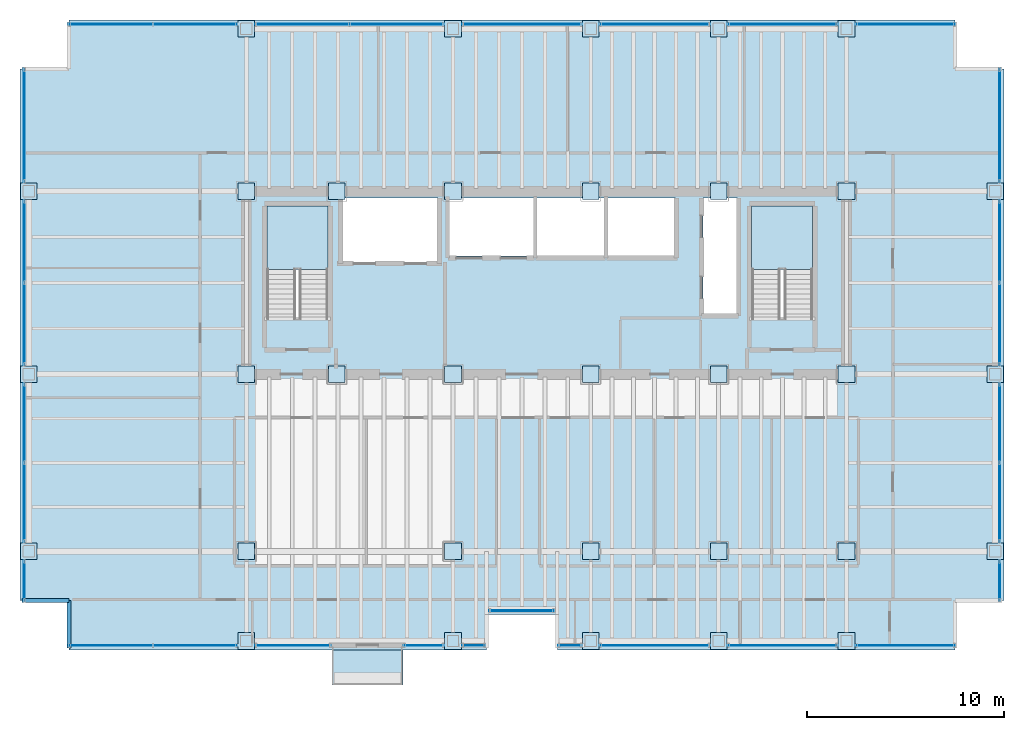
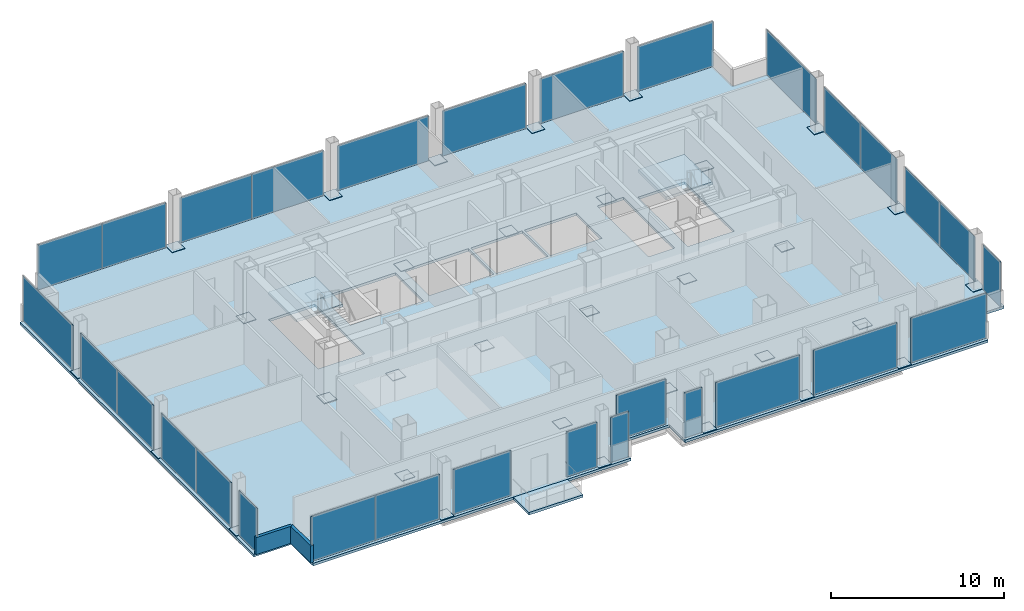
# One storey, part 17 of 21: 63 plates, 4 slabs, 2 walls, 7 openings, 25 elements without a shape of their own.
"""IFC4 building model written with IfcOpenShell, lengths in metres."""

from ifc_helpers import new_model, si_unit, direction, frame, frame_2d, origin, origin_2d, place, context, subcontext, project, spatial, polyline, rectangle, outline, extrude, material, layer, layer_set, type_object, element, aggregate, save


model = new_model("IFC4")

# Units and contexts
model_context = context("Model", 3, precision=1e-05, world=origin(), true_north=direction((0.0, 1.0)))
body_context = subcontext(model_context, "Body", "Model", "MODEL_VIEW")
ifc_project = project(units=[si_unit("LENGTHUNIT", "METRE"), si_unit("AREAUNIT", "SQUARE_METRE"), si_unit("VOLUMEUNIT", "CUBIC_METRE"), si_unit("PLANEANGLEUNIT", "RADIAN"), si_unit("MASSUNIT", "GRAM", prefix="KILO")], contexts=[model_context])

# Site, building, storey
site_placement = place(None, origin())
site = spatial("IfcSite", under=ifc_project, at=site_placement, CompositionType="ELEMENT")
building_placement = place(site_placement, origin())
building = spatial("IfcBuilding", under=site, at=building_placement, Name="Noeulbin Bourse Tower", CompositionType="ELEMENT")
storey_placement = place(building_placement, frame((0.0, 0.0, 42.10009765625)))
storey = spatial("IfcBuildingStorey", under=building, at=storey_placement, Name="L10", CompositionType="ELEMENT", Elevation=42.10009765625)

# Curtain wall, plate
ifc_material_1 = material(Name="Dark Solar-Control Double Glazing", Category="glass")
curtain_wall_type = type_object("IfcCurtainWallType", Name="CW-SYS-2", PredefinedType="NOTDEFINED", material=ifc_material_1)
curtain_wall_1_placement = place(storey_placement, origin())
curtain_wall_1 = element("IfcCurtainWall", 1, at=curtain_wall_1_placement, inside=storey, type_object=curtain_wall_type, Name="Unitised Curtain Wall CW-L10-SREC", PredefinedType="NOTDEFINED")
ifc_layer_1 = layer(ifc_material_1, 0.035888671875)
ifc_layer_set_1 = layer_set([ifc_layer_1], Name="Dark Solar-Control Double Glazing")
plate_type_1 = type_object("IfcPlateType", Name="CW-SYS-2-PNL", PredefinedType="CURTAIN_PANEL", material=ifc_layer_set_1)
plate_1_placement = place(storey_placement, frame((27.5, 16.97998046875, 0.0), z_axis=(0.0, 0.0, 1.0), x_axis=(1.0, 0.0, 0.0)))
plate_1 = element("IfcPlate", 2, at=plate_1_placement, type_object=plate_type_1, Name="Glazed Curtain Panel CW-L10-SREC-P00", PredefinedType="CURTAIN_PANEL", context=body_context, shape_type="SweptSolid", body=[
    extrude(rectangle(XDim=3.300048828125, YDim=0.035888671875, at=origin_2d()), origin(), (0.0, 0.0, 1.0), 3.179931640625),
])
aggregate(curtain_wall_1, [plate_1])

# Curtain wall, plates
curtain_wall_2_placement = place(storey_placement, origin())
curtain_wall_2 = element("IfcCurtainWall", 3, at=curtain_wall_2_placement, inside=storey, type_object=curtain_wall_type, Name="Unitised Curtain Wall CW-L10-S1-S1", PredefinedType="NOTDEFINED")
plate_2_placement = place(storey_placement, frame((6.6201171875, 15.219970703125, 0.0), z_axis=(0.0, 0.0, 1.0), x_axis=(1.0, 0.0, 0.0)))
plate_2 = element("IfcPlate", 4, at=plate_2_placement, type_object=plate_type_1, Name="Glazed Curtain Panel CW-L10-S1-S1-P00", PredefinedType="CURTAIN_PANEL", context=body_context, shape_type="SweptSolid", body=[
    extrude(rectangle(XDim=4.280029296875, YDim=0.035888671875, at=origin_2d()), origin(), (0.0, 0.0, 1.0), 3.179931640625),
])
plate_3_placement = place(storey_placement, frame((10.89990234375, 15.219970703125, 0.0), z_axis=(0.0, 0.0, 1.0), x_axis=(1.0, 0.0, 0.0)))
plate_3 = element("IfcPlate", 5, at=plate_3_placement, type_object=plate_type_1, Name="Glazed Curtain Panel CW-L10-S1-S1-P01", PredefinedType="CURTAIN_PANEL", context=body_context, shape_type="SweptSolid", body=[
    extrude(rectangle(XDim=4.280029296875, YDim=0.035888671875, at=origin_2d()), origin(), (0.0, 0.0, 1.0), 3.179931640625),
])
aggregate(curtain_wall_2, [plate_2, plate_3])

# Curtain wall, plate
curtain_wall_3_placement = place(storey_placement, origin())
curtain_wall_3 = element("IfcCurtainWall", 6, at=curtain_wall_3_placement, inside=storey, type_object=curtain_wall_type, Name="Unitised Curtain Wall CW-L10-S1-S2", PredefinedType="NOTDEFINED")
plate_4_placement = place(storey_placement, frame((15.8798828125, 15.219970703125, 0.0), z_axis=(0.0, 0.0, 1.0), x_axis=(1.0, 0.0, 0.0)))
plate_4 = element("IfcPlate", 7, at=plate_4_placement, type_object=plate_type_1, Name="Glazed Curtain Panel CW-L10-S1-S2-P00", PredefinedType="CURTAIN_PANEL", context=body_context, shape_type="SweptSolid", body=[
    extrude(rectangle(XDim=3.840087890625, YDim=0.035888671875, at=origin_2d()), origin(), (0.0, 0.0, 1.0), 3.179931640625),
])
aggregate(curtain_wall_3, [plate_4])

curtain_wall_4_placement = place(storey_placement, origin())
curtain_wall_4 = element("IfcCurtainWall", 8, at=curtain_wall_4_placement, inside=storey, type_object=curtain_wall_type, Name="Unitised Curtain Wall CW-L10-S2-S1", PredefinedType="NOTDEFINED")
plate_5_placement = place(storey_placement, frame((22.52001953125, 15.219970703125, 0.0), z_axis=(0.0, 0.0, 1.0), x_axis=(1.0, 0.0, 0.0)))
plate_5 = element("IfcPlate", 9, at=plate_5_placement, type_object=plate_type_1, Name="Glazed Curtain Panel CW-L10-S2-S1-P00", PredefinedType="CURTAIN_PANEL", context=body_context, shape_type="SweptSolid", body=[
    extrude(rectangle(XDim=2.0400390625, YDim=0.035888671875, at=origin_2d()), origin(), (0.0, 0.0, 1.0), 3.179931640625),
])
aggregate(curtain_wall_4, [plate_5])

curtain_wall_5_placement = place(storey_placement, origin())
curtain_wall_5 = element("IfcCurtainWall", 10, at=curtain_wall_5_placement, inside=storey, type_object=curtain_wall_type, Name="Unitised Curtain Wall CW-L10-S2-S2", PredefinedType="NOTDEFINED")
plate_6_placement = place(storey_placement, frame((25.054931640625, 15.219970703125, 0.0), z_axis=(0.0, 0.0, 1.0), x_axis=(1.0, 0.0, 0.0)))
plate_6 = element("IfcPlate", 11, at=plate_6_placement, type_object=plate_type_1, Name="Glazed Curtain Panel CW-L10-S2-S2-P00", PredefinedType="CURTAIN_PANEL", context=body_context, shape_type="SweptSolid", body=[
    extrude(rectangle(XDim=1.18994140625, YDim=0.035888671875, at=origin_2d()), origin(), (0.0, 0.0, 1.0), 3.179931640625),
])
aggregate(curtain_wall_5, [plate_6])

curtain_wall_6_placement = place(storey_placement, origin())
curtain_wall_6 = element("IfcCurtainWall", 12, at=curtain_wall_6_placement, inside=storey, type_object=curtain_wall_type, Name="Unitised Curtain Wall CW-L10-S3-S1", PredefinedType="NOTDEFINED")
plate_7_placement = place(storey_placement, frame((29.945068359375, 15.219970703125, 0.0), z_axis=(0.0, 0.0, 1.0), x_axis=(1.0, 0.0, 0.0)))
plate_7 = element("IfcPlate", 13, at=plate_7_placement, type_object=plate_type_1, Name="Glazed Curtain Panel CW-L10-S3-S1-P00", PredefinedType="CURTAIN_PANEL", context=body_context, shape_type="SweptSolid", body=[
    extrude(rectangle(XDim=1.18994140625, YDim=0.035888671875, at=origin_2d()), origin(), (0.0, 0.0, 1.0), 3.179931640625),
])
aggregate(curtain_wall_6, [plate_7])

curtain_wall_7_placement = place(storey_placement, origin())
curtain_wall_7 = element("IfcCurtainWall", 14, at=curtain_wall_7_placement, inside=storey, type_object=curtain_wall_type, Name="Unitised Curtain Wall CW-L10-S3-S2", PredefinedType="NOTDEFINED")
plate_8_placement = place(storey_placement, frame((34.25, 15.219970703125, 0.0), z_axis=(0.0, 0.0, 1.0), x_axis=(1.0, 0.0, 0.0)))
plate_8 = element("IfcPlate", 15, at=plate_8_placement, type_object=plate_type_1, Name="Glazed Curtain Panel CW-L10-S3-S2-P00", PredefinedType="CURTAIN_PANEL", context=body_context, shape_type="SweptSolid", body=[
    extrude(rectangle(XDim=5.580078125, YDim=0.035888671875, at=origin_2d()), origin(), (0.0, 0.0, 1.0), 3.179931640625),
])
aggregate(curtain_wall_7, [plate_8])

curtain_wall_8_placement = place(storey_placement, origin())
curtain_wall_8 = element("IfcCurtainWall", 16, at=curtain_wall_8_placement, inside=storey, type_object=curtain_wall_type, Name="Unitised Curtain Wall CW-L10-S3-S3", PredefinedType="NOTDEFINED")
plate_9_placement = place(storey_placement, frame((40.75, 15.219970703125, 0.0), z_axis=(0.0, 0.0, 1.0), x_axis=(1.0, 0.0, 0.0)))
plate_9 = element("IfcPlate", 17, at=plate_9_placement, type_object=plate_type_1, Name="Glazed Curtain Panel CW-L10-S3-S3-P00", PredefinedType="CURTAIN_PANEL", context=body_context, shape_type="SweptSolid", body=[
    extrude(rectangle(XDim=5.580078125, YDim=0.035888671875, at=origin_2d()), origin(), (0.0, 0.0, 1.0), 3.179931640625),
])
aggregate(curtain_wall_8, [plate_9])

curtain_wall_9_placement = place(storey_placement, origin())
curtain_wall_9 = element("IfcCurtainWall", 18, at=curtain_wall_9_placement, inside=storey, type_object=curtain_wall_type, Name="Unitised Curtain Wall CW-L10-S3-S4", PredefinedType="NOTDEFINED")
plate_10_placement = place(storey_placement, frame((46.989990234375, 15.219970703125, 0.0), z_axis=(0.0, 0.0, 1.0), x_axis=(1.0, 0.0, 0.0)))
plate_10 = element("IfcPlate", 19, at=plate_10_placement, type_object=plate_type_1, Name="Glazed Curtain Panel CW-L10-S3-S4-P00", PredefinedType="CURTAIN_PANEL", context=body_context, shape_type="SweptSolid", body=[
    extrude(rectangle(XDim=5.06005859375, YDim=0.035888671875, at=origin_2d()), origin(), (0.0, 0.0, 1.0), 3.179931640625),
])
aggregate(curtain_wall_9, [plate_10])

# Curtain wall, plates
curtain_wall_10_placement = place(storey_placement, origin())
curtain_wall_10 = element("IfcCurtainWall", 20, at=curtain_wall_10_placement, inside=storey, type_object=curtain_wall_type, Name="Unitised Curtain Wall CW-L10-N-S1", PredefinedType="NOTDEFINED")
plate_11_placement = place(storey_placement, frame((6.6201171875, 46.780029296875, 0.0), z_axis=(0.0, 0.0, 1.0), x_axis=(1.0, 0.0, 0.0)))
plate_11 = element("IfcPlate", 21, at=plate_11_placement, type_object=plate_type_1, Name="Glazed Curtain Panel CW-L10-N-S1-P00", PredefinedType="CURTAIN_PANEL", context=body_context, shape_type="SweptSolid", body=[
    extrude(rectangle(XDim=4.280029296875, YDim=0.035888671875, at=origin_2d()), origin(), (0.0, 0.0, 1.0), 3.179931640625),
])
plate_12_placement = place(storey_placement, frame((10.89990234375, 46.780029296875, 0.0), z_axis=(0.0, 0.0, 1.0), x_axis=(1.0, 0.0, 0.0)))
plate_12 = element("IfcPlate", 22, at=plate_12_placement, type_object=plate_type_1, Name="Glazed Curtain Panel CW-L10-N-S1-P01", PredefinedType="CURTAIN_PANEL", context=body_context, shape_type="SweptSolid", body=[
    extrude(rectangle(XDim=4.280029296875, YDim=0.035888671875, at=origin_2d()), origin(), (0.0, 0.0, 1.0), 3.179931640625),
])
aggregate(curtain_wall_10, [plate_11, plate_12])

curtain_wall_11_placement = place(storey_placement, origin())
curtain_wall_11 = element("IfcCurtainWall", 23, at=curtain_wall_11_placement, inside=storey, type_object=curtain_wall_type, Name="Unitised Curtain Wall CW-L10-N-S2", PredefinedType="NOTDEFINED")
plate_13_placement = place(storey_placement, frame((16.35498046875, 46.780029296875, 0.0), z_axis=(0.0, 0.0, 1.0), x_axis=(1.0, 0.0, 0.0)))
plate_13 = element("IfcPlate", 24, at=plate_13_placement, type_object=plate_type_1, Name="Glazed Curtain Panel CW-L10-N-S2-P00", PredefinedType="CURTAIN_PANEL", context=body_context, shape_type="SweptSolid", body=[
    extrude(rectangle(XDim=4.7900390625, YDim=0.035888671875, at=origin_2d()), origin(), (0.0, 0.0, 1.0), 3.179931640625),
])
plate_14_placement = place(storey_placement, frame((21.14501953125, 46.780029296875, 0.0), z_axis=(0.0, 0.0, 1.0), x_axis=(1.0, 0.0, 0.0)))
plate_14 = element("IfcPlate", 25, at=plate_14_placement, type_object=plate_type_1, Name="Glazed Curtain Panel CW-L10-N-S2-P01", PredefinedType="CURTAIN_PANEL", context=body_context, shape_type="SweptSolid", body=[
    extrude(rectangle(XDim=4.7900390625, YDim=0.035888671875, at=origin_2d()), origin(), (0.0, 0.0, 1.0), 3.179931640625),
])
aggregate(curtain_wall_11, [plate_13, plate_14])

# Curtain wall, plate
curtain_wall_12_placement = place(storey_placement, origin())
curtain_wall_12 = element("IfcCurtainWall", 26, at=curtain_wall_12_placement, inside=storey, type_object=curtain_wall_type, Name="Unitised Curtain Wall CW-L10-N-S3", PredefinedType="NOTDEFINED")
plate_15_placement = place(storey_placement, frame((27.5, 46.780029296875, 0.0), z_axis=(0.0, 0.0, 1.0), x_axis=(1.0, 0.0, 0.0)))
plate_15 = element("IfcPlate", 27, at=plate_15_placement, type_object=plate_type_1, Name="Glazed Curtain Panel CW-L10-N-S3-P00", PredefinedType="CURTAIN_PANEL", context=body_context, shape_type="SweptSolid", body=[
    extrude(rectangle(XDim=6.080078125, YDim=0.035888671875, at=origin_2d()), origin(), (0.0, 0.0, 1.0), 3.179931640625),
])
aggregate(curtain_wall_12, [plate_15])

curtain_wall_13_placement = place(storey_placement, origin())
curtain_wall_13 = element("IfcCurtainWall", 28, at=curtain_wall_13_placement, inside=storey, type_object=curtain_wall_type, Name="Unitised Curtain Wall CW-L10-N-S4", PredefinedType="NOTDEFINED")
plate_16_placement = place(storey_placement, frame((34.25, 46.780029296875, 0.0), z_axis=(0.0, 0.0, 1.0), x_axis=(1.0, 0.0, 0.0)))
plate_16 = element("IfcPlate", 29, at=plate_16_placement, type_object=plate_type_1, Name="Glazed Curtain Panel CW-L10-N-S4-P00", PredefinedType="CURTAIN_PANEL", context=body_context, shape_type="SweptSolid", body=[
    extrude(rectangle(XDim=5.580078125, YDim=0.035888671875, at=origin_2d()), origin(), (0.0, 0.0, 1.0), 3.179931640625),
])
aggregate(curtain_wall_13, [plate_16])

curtain_wall_14_placement = place(storey_placement, origin())
curtain_wall_14 = element("IfcCurtainWall", 30, at=curtain_wall_14_placement, inside=storey, type_object=curtain_wall_type, Name="Unitised Curtain Wall CW-L10-N-S5", PredefinedType="NOTDEFINED")
plate_17_placement = place(storey_placement, frame((40.75, 46.780029296875, 0.0), z_axis=(0.0, 0.0, 1.0), x_axis=(1.0, 0.0, 0.0)))
plate_17 = element("IfcPlate", 31, at=plate_17_placement, type_object=plate_type_1, Name="Glazed Curtain Panel CW-L10-N-S5-P00", PredefinedType="CURTAIN_PANEL", context=body_context, shape_type="SweptSolid", body=[
    extrude(rectangle(XDim=5.580078125, YDim=0.035888671875, at=origin_2d()), origin(), (0.0, 0.0, 1.0), 3.179931640625),
])
aggregate(curtain_wall_14, [plate_17])

curtain_wall_15_placement = place(storey_placement, origin())
curtain_wall_15 = element("IfcCurtainWall", 32, at=curtain_wall_15_placement, inside=storey, type_object=curtain_wall_type, Name="Unitised Curtain Wall CW-L10-N-S6", PredefinedType="NOTDEFINED")
plate_18_placement = place(storey_placement, frame((46.989990234375, 46.780029296875, 0.0), z_axis=(0.0, 0.0, 1.0), x_axis=(1.0, 0.0, 0.0)))
plate_18 = element("IfcPlate", 33, at=plate_18_placement, type_object=plate_type_1, Name="Glazed Curtain Panel CW-L10-N-S6-P00", PredefinedType="CURTAIN_PANEL", context=body_context, shape_type="SweptSolid", body=[
    extrude(rectangle(XDim=5.06005859375, YDim=0.035888671875, at=origin_2d()), origin(), (0.0, 0.0, 1.0), 3.179931640625),
])
aggregate(curtain_wall_15, [plate_18])

curtain_wall_16_placement = place(storey_placement, origin())
curtain_wall_16 = element("IfcCurtainWall", 34, at=curtain_wall_16_placement, inside=storey, type_object=curtain_wall_type, Name="Unitised Curtain Wall CW-L10-W-S1", PredefinedType="NOTDEFINED")
plate_19_placement = place(storey_placement, frame((2.219970703125, 18.510009765625, 0.0), z_axis=(0.0, 0.0, 1.0), x_axis=(0.0, 1.0, 0.0)))
plate_19 = element("IfcPlate", 35, at=plate_19_placement, type_object=plate_type_1, Name="Glazed Curtain Panel CW-L10-W-S1-P00", PredefinedType="CURTAIN_PANEL", context=body_context, shape_type="SweptSolid", body=[
    extrude(rectangle(XDim=2.06005859375, YDim=0.035888671875, at=origin_2d()), origin(), (0.0, 0.0, 1.0), 3.179931640625),
])
aggregate(curtain_wall_16, [plate_19])

# Curtain wall, plates
curtain_wall_17_placement = place(storey_placement, origin())
curtain_wall_17 = element("IfcCurtainWall", 36, at=curtain_wall_17_placement, inside=storey, type_object=curtain_wall_type, Name="Unitised Curtain Wall CW-L10-W-S2", PredefinedType="NOTDEFINED")
plate_20_placement = place(storey_placement, frame((2.219970703125, 22.47998046875, 0.0), z_axis=(0.0, 0.0, 1.0), x_axis=(0.0, 1.0, 0.0)))
plate_20 = element("IfcPlate", 37, at=plate_20_placement, type_object=plate_type_1, Name="Glazed Curtain Panel CW-L10-W-S2-P00", PredefinedType="CURTAIN_PANEL", context=body_context, shape_type="SweptSolid", body=[
    extrude(rectangle(XDim=4.0400390625, YDim=0.035888671875, at=origin_2d()), origin(), (0.0, 0.0, 1.0), 3.179931640625),
])
plate_21_placement = place(storey_placement, frame((2.219970703125, 26.52001953125, 0.0), z_axis=(0.0, 0.0, 1.0), x_axis=(0.0, 1.0, 0.0)))
plate_21 = element("IfcPlate", 38, at=plate_21_placement, type_object=plate_type_1, Name="Glazed Curtain Panel CW-L10-W-S2-P01", PredefinedType="CURTAIN_PANEL", context=body_context, shape_type="SweptSolid", body=[
    extrude(rectangle(XDim=4.0400390625, YDim=0.035888671875, at=origin_2d()), origin(), (0.0, 0.0, 1.0), 3.179931640625),
])
aggregate(curtain_wall_17, [plate_20, plate_21])

curtain_wall_18_placement = place(storey_placement, origin())
curtain_wall_18 = element("IfcCurtainWall", 39, at=curtain_wall_18_placement, inside=storey, type_object=curtain_wall_type, Name="Unitised Curtain Wall CW-L10-W-S3", PredefinedType="NOTDEFINED")
plate_22_placement = place(storey_placement, frame((2.219970703125, 31.554931640625, 0.0), z_axis=(0.0, 0.0, 1.0), x_axis=(0.0, 1.0, 0.0)))
plate_22 = element("IfcPlate", 40, at=plate_22_placement, type_object=plate_type_1, Name="Glazed Curtain Panel CW-L10-W-S3-P00", PredefinedType="CURTAIN_PANEL", context=body_context, shape_type="SweptSolid", body=[
    extrude(rectangle(XDim=4.18994140625, YDim=0.035888671875, at=origin_2d()), origin(), (0.0, 0.0, 1.0), 3.179931640625),
])
plate_23_placement = place(storey_placement, frame((2.219970703125, 35.7451171875, 0.0), z_axis=(0.0, 0.0, 1.0), x_axis=(0.0, 1.0, 0.0)))
plate_23 = element("IfcPlate", 41, at=plate_23_placement, type_object=plate_type_1, Name="Glazed Curtain Panel CW-L10-W-S3-P01", PredefinedType="CURTAIN_PANEL", context=body_context, shape_type="SweptSolid", body=[
    extrude(rectangle(XDim=4.18994140625, YDim=0.035888671875, at=origin_2d()), origin(), (0.0, 0.0, 1.0), 3.179931640625),
])
aggregate(curtain_wall_18, [plate_22, plate_23])

# Curtain wall, plate
curtain_wall_19_placement = place(storey_placement, origin())
curtain_wall_19 = element("IfcCurtainWall", 42, at=curtain_wall_19_placement, inside=storey, type_object=curtain_wall_type, Name="Unitised Curtain Wall CW-L10-W-S4", PredefinedType="NOTDEFINED")
plate_24_placement = place(storey_placement, frame((2.219970703125, 41.639892578125, 0.0), z_axis=(0.0, 0.0, 1.0), x_axis=(0.0, 1.0, 0.0)))
plate_24 = element("IfcPlate", 43, at=plate_24_placement, type_object=plate_type_1, Name="Glazed Curtain Panel CW-L10-W-S4-P00", PredefinedType="CURTAIN_PANEL", context=body_context, shape_type="SweptSolid", body=[
    extrude(rectangle(XDim=5.760009765625, YDim=0.035888671875, at=origin_2d()), origin(), (0.0, 0.0, 1.0), 3.179931640625),
])
aggregate(curtain_wall_19, [plate_24])

curtain_wall_20_placement = place(storey_placement, origin())
curtain_wall_20 = element("IfcCurtainWall", 44, at=curtain_wall_20_placement, inside=storey, type_object=curtain_wall_type, Name="Unitised Curtain Wall CW-L10-E-S1", PredefinedType="NOTDEFINED")
plate_25_placement = place(storey_placement, frame((51.780029296875, 18.510009765625, 0.0), z_axis=(0.0, 0.0, 1.0), x_axis=(0.0, 1.0, 0.0)))
plate_25 = element("IfcPlate", 45, at=plate_25_placement, type_object=plate_type_1, Name="Glazed Curtain Panel CW-L10-E-S1-P00", PredefinedType="CURTAIN_PANEL", context=body_context, shape_type="SweptSolid", body=[
    extrude(rectangle(XDim=2.06005859375, YDim=0.035888671875, at=origin_2d()), origin(), (0.0, 0.0, 1.0), 3.179931640625),
])
aggregate(curtain_wall_20, [plate_25])

# Curtain wall, plates
curtain_wall_21_placement = place(storey_placement, origin())
curtain_wall_21 = element("IfcCurtainWall", 46, at=curtain_wall_21_placement, inside=storey, type_object=curtain_wall_type, Name="Unitised Curtain Wall CW-L10-E-S2", PredefinedType="NOTDEFINED")
plate_26_placement = place(storey_placement, frame((51.780029296875, 22.47998046875, 0.0), z_axis=(0.0, 0.0, 1.0), x_axis=(0.0, 1.0, 0.0)))
plate_26 = element("IfcPlate", 47, at=plate_26_placement, type_object=plate_type_1, Name="Glazed Curtain Panel CW-L10-E-S2-P00", PredefinedType="CURTAIN_PANEL", context=body_context, shape_type="SweptSolid", body=[
    extrude(rectangle(XDim=4.0400390625, YDim=0.035888671875, at=origin_2d()), origin(), (0.0, 0.0, 1.0), 3.179931640625),
])
plate_27_placement = place(storey_placement, frame((51.780029296875, 26.52001953125, 0.0), z_axis=(0.0, 0.0, 1.0), x_axis=(0.0, 1.0, 0.0)))
plate_27 = element("IfcPlate", 48, at=plate_27_placement, type_object=plate_type_1, Name="Glazed Curtain Panel CW-L10-E-S2-P01", PredefinedType="CURTAIN_PANEL", context=body_context, shape_type="SweptSolid", body=[
    extrude(rectangle(XDim=4.0400390625, YDim=0.035888671875, at=origin_2d()), origin(), (0.0, 0.0, 1.0), 3.179931640625),
])
aggregate(curtain_wall_21, [plate_26, plate_27])

curtain_wall_22_placement = place(storey_placement, origin())
curtain_wall_22 = element("IfcCurtainWall", 49, at=curtain_wall_22_placement, inside=storey, type_object=curtain_wall_type, Name="Unitised Curtain Wall CW-L10-E-S3", PredefinedType="NOTDEFINED")
plate_28_placement = place(storey_placement, frame((51.780029296875, 31.554931640625, 0.0), z_axis=(0.0, 0.0, 1.0), x_axis=(0.0, 1.0, 0.0)))
plate_28 = element("IfcPlate", 50, at=plate_28_placement, type_object=plate_type_1, Name="Glazed Curtain Panel CW-L10-E-S3-P00", PredefinedType="CURTAIN_PANEL", context=body_context, shape_type="SweptSolid", body=[
    extrude(rectangle(XDim=4.18994140625, YDim=0.035888671875, at=origin_2d()), origin(), (0.0, 0.0, 1.0), 3.179931640625),
])
plate_29_placement = place(storey_placement, frame((51.780029296875, 35.7451171875, 0.0), z_axis=(0.0, 0.0, 1.0), x_axis=(0.0, 1.0, 0.0)))
plate_29 = element("IfcPlate", 51, at=plate_29_placement, type_object=plate_type_1, Name="Glazed Curtain Panel CW-L10-E-S3-P01", PredefinedType="CURTAIN_PANEL", context=body_context, shape_type="SweptSolid", body=[
    extrude(rectangle(XDim=4.18994140625, YDim=0.035888671875, at=origin_2d()), origin(), (0.0, 0.0, 1.0), 3.179931640625),
])
aggregate(curtain_wall_22, [plate_28, plate_29])

# Curtain wall, plate
curtain_wall_23_placement = place(storey_placement, origin())
curtain_wall_23 = element("IfcCurtainWall", 52, at=curtain_wall_23_placement, inside=storey, type_object=curtain_wall_type, Name="Unitised Curtain Wall CW-L10-E-S4", PredefinedType="NOTDEFINED")
plate_30_placement = place(storey_placement, frame((51.780029296875, 41.639892578125, 0.0), z_axis=(0.0, 0.0, 1.0), x_axis=(0.0, 1.0, 0.0)))
plate_30 = element("IfcPlate", 53, at=plate_30_placement, type_object=plate_type_1, Name="Glazed Curtain Panel CW-L10-E-S4-P00", PredefinedType="CURTAIN_PANEL", context=body_context, shape_type="SweptSolid", body=[
    extrude(rectangle(XDim=5.760009765625, YDim=0.035888671875, at=origin_2d()), origin(), (0.0, 0.0, 1.0), 3.179931640625),
])
aggregate(curtain_wall_23, [plate_30])

# Plates
ifc_material_2 = material(Name="Steel S355", Category="steel")
ifc_layer_2 = layer(ifc_material_2, 0.030029296875)
ifc_layer_set_2 = layer_set([ifc_layer_2], Name="Steel S355")
plate_type_2 = type_object("IfcPlateType", Name="PLT-BN1", PredefinedType="USERDEFINED", material=ifc_layer_set_2)
for number, where, z_axis, x_axis, name in (
    (54, (13.5, 29.0, 0.0048828125), (0.0, 0.0, 1.0), (1.0, 0.0, 0.0), "Mega-Column Splice Plate BN1-L10-01"),
    (55, (13.5, 38.300048828125, 0.0048828125), (0.0, 0.0, 1.0), (1.0, 0.0, 0.0), "Mega-Column Splice Plate BN1-L10-02"),
    (56, (18.10009765625, 29.0, 0.0048828125), (0.0, 0.0, 1.0), (1.0, 0.0, 0.0), "Mega-Column Splice Plate BN1-L10-03"),
    (57, (18.10009765625, 38.300048828125, 0.0048828125), (0.0, 0.0, 1.0), (1.0, 0.0, 0.0), "Mega-Column Splice Plate BN1-L10-04"),
    (58, (24.0, 29.0, 0.0048828125), (0.0, 0.0, 1.0), (1.0, 0.0, 0.0), "Mega-Column Splice Plate BN1-L10-05"),
    (59, (24.0, 38.300048828125, 0.0048828125), (0.0, 0.0, 1.0), (1.0, 0.0, 0.0), "Mega-Column Splice Plate BN1-L10-06"),
    (60, (31.0, 29.0, 0.0048828125), (0.0, 0.0, 1.0), (1.0, 0.0, 0.0), "Mega-Column Splice Plate BN1-L10-07"),
    (61, (31.0, 38.300048828125, 0.0048828125), (0.0, 0.0, 1.0), (1.0, 0.0, 0.0), "Mega-Column Splice Plate BN1-L10-08"),
    (62, (37.5, 29.0, 0.0048828125), (0.0, 0.0, 1.0), (1.0, 0.0, 0.0), "Mega-Column Splice Plate BN1-L10-09"),
    (63, (37.5, 38.300048828125, 0.0048828125), (0.0, 0.0, 1.0), (1.0, 0.0, 0.0), "Mega-Column Splice Plate BN1-L10-10"),
    (64, (44.0, 29.0, 0.0048828125), (0.0, 0.0, 1.0), (1.0, 0.0, 0.0), "Mega-Column Splice Plate BN1-L10-11"),
    (65, (44.0, 38.300048828125, 0.0048828125), (0.0, 0.0, 1.0), (1.0, 0.0, 0.0), "Mega-Column Splice Plate BN1-L10-12"),
    (66, (13.5, 20.0, 0.0048828125), (0.0, 0.0, 1.0), (1.0, 0.0, 0.0), "Mega-Column Splice Plate BN1-L10-13"),
    (67, (24.0, 20.0, 0.0048828125), (0.0, 0.0, 1.0), (1.0, 0.0, 0.0), "Mega-Column Splice Plate BN1-L10-14"),
    (68, (31.0, 20.0, 0.0048828125), (0.0, 0.0, 1.0), (1.0, 0.0, 0.0), "Mega-Column Splice Plate BN1-L10-15"),
    (69, (37.5, 20.0, 0.0048828125), (0.0, 0.0, 1.0), (1.0, 0.0, 0.0), "Mega-Column Splice Plate BN1-L10-16"),
    (70, (44.0, 20.0, 0.0048828125), (0.0, 0.0, 1.0), (1.0, 0.0, 0.0), "Mega-Column Splice Plate BN1-L10-17"),
    (71, (2.449951171875, 20.0, 0.0048828125), (0.0, 0.0, 1.0), (1.0, 0.0, 0.0), "Perimeter Column Splice Plate BN1-L10-01"),
    (72, (2.449951171875, 29.0, 0.0048828125), (0.0, 0.0, 1.0), (1.0, 0.0, 0.0), "Perimeter Column Splice Plate BN1-L10-02"),
    (73, (2.449951171875, 38.300048828125, 0.0048828125), (0.0, 0.0, 1.0), (1.0, 0.0, 0.0), "Perimeter Column Splice Plate BN1-L10-03"),
    (74, (13.5, 15.449951171875, 0.0048828125), (0.0, 0.0, 1.0), (1.0, 0.0, 0.0), "Perimeter Column Splice Plate BN1-L10-04"),
    (75, (13.5, 46.550048828125, 0.0048828125), (0.0, 0.0, 1.0), (1.0, 0.0, 0.0), "Perimeter Column Splice Plate BN1-L10-05"),
    (76, (24.0, 15.449951171875, 0.0048828125), (0.0, 0.0, 1.0), (1.0, 0.0, 0.0), "Perimeter Column Splice Plate BN1-L10-06"),
    (77, (24.0, 46.550048828125, 0.0048828125), (0.0, 0.0, 1.0), (1.0, 0.0, 0.0), "Perimeter Column Splice Plate BN1-L10-07"),
    (78, (31.0, 15.449951171875, 0.0048828125), (0.0, 0.0, 1.0), (1.0, 0.0, 0.0), "Perimeter Column Splice Plate BN1-L10-08"),
    (79, (31.0, 46.550048828125, 0.0048828125), (0.0, 0.0, 1.0), (1.0, 0.0, 0.0), "Perimeter Column Splice Plate BN1-L10-09"),
    (80, (37.5, 15.449951171875, 0.0048828125), (0.0, 0.0, 1.0), (1.0, 0.0, 0.0), "Perimeter Column Splice Plate BN1-L10-10"),
    (81, (37.5, 46.550048828125, 0.0048828125), (0.0, 0.0, 1.0), (1.0, 0.0, 0.0), "Perimeter Column Splice Plate BN1-L10-11"),
    (82, (44.0, 15.449951171875, 0.0048828125), (0.0, 0.0, 1.0), (1.0, 0.0, 0.0), "Perimeter Column Splice Plate BN1-L10-12"),
    (83, (44.0, 46.550048828125, 0.0048828125), (0.0, 0.0, 1.0), (1.0, 0.0, 0.0), "Perimeter Column Splice Plate BN1-L10-13"),
    (84, (51.550048828125, 20.0, 0.0048828125), (0.0, 0.0, 1.0), (1.0, 0.0, 0.0), "Perimeter Column Splice Plate BN1-L10-14"),
    (85, (51.550048828125, 29.0, 0.0048828125), (0.0, 0.0, 1.0), (1.0, 0.0, 0.0), "Perimeter Column Splice Plate BN1-L10-15"),
    (86, (51.550048828125, 38.300048828125, 0.0048828125), (0.0, 0.0, 1.0), (1.0, 0.0, 0.0), "Perimeter Column Splice Plate BN1-L10-16"),
):
    element("IfcPlate", number, at=place(storey_placement, frame(where, z_axis=z_axis, x_axis=x_axis)), inside=storey, type_object=plate_type_2, Name=name, ObjectType="SPLICE PLATE", PredefinedType="USERDEFINED", context=body_context, shape_type="SweptSolid", body=[
        extrude(rectangle(XDim=0.85009765625, YDim=0.85009765625, at=origin_2d()), origin(), (0.0, 0.0, 1.0), 0.030029296875),
    ])

# Stair, slab
ifc_material_3 = material(Name="Concrete C40/50", Category="concrete")
stair_type = type_object("IfcStairType", Name="STR-CORE-1560", PredefinedType="HALF_TURN_STAIR", material=ifc_material_3)
stair_1_placement = place(storey_placement, origin())
stair_1 = element("IfcStair", 87, at=stair_1_placement, inside=storey, type_object=stair_type, Name="L10 ST-1", PredefinedType="HALF_TURN_STAIR")
ifc_layer_3 = layer(ifc_material_3, 0.199951171875)
ifc_layer_set_3 = layer_set([ifc_layer_3], Name="Concrete C40/50")
slab_type_1 = type_object("IfcSlabType", Name="SLB-LND-200", PredefinedType="LANDING", material=ifc_layer_set_3)
slab_1_placement = place(storey_placement, frame((0.0, 0.0, 1.75)))
slab_1 = element("IfcSlab", 88, at=slab_1_placement, type_object=slab_type_1, Name="ST-1 landing 1", PredefinedType="LANDING", context=body_context, shape_type="SweptSolid", body=[
    extrude(outline(polyline([(17.64990234375, 34.330078125), (17.64990234375, 37.5439453125), (14.550048828125, 37.5439453125), (14.550048828125, 34.330078125), (17.64990234375, 34.330078125)])), origin(), (0.0, 0.0, 1.0), 0.199951171875),
])
aggregate(stair_1, [slab_1])

stair_2_placement = place(storey_placement, origin())
stair_2 = element("IfcStair", 89, at=stair_2_placement, inside=storey, type_object=stair_type, Name="L10 ST-2", PredefinedType="HALF_TURN_STAIR")
slab_2_placement = place(storey_placement, frame((0.0, 0.0, 1.75)))
slab_2 = element("IfcSlab", 90, at=slab_2_placement, type_object=slab_type_1, Name="ST-2 landing 1", PredefinedType="LANDING", context=body_context, shape_type="SweptSolid", body=[
    extrude(outline(polyline([(42.280029296875, 34.330078125), (42.280029296875, 37.5439453125), (39.179931640625, 37.5439453125), (39.179931640625, 34.330078125), (42.280029296875, 34.330078125)])), origin(), (0.0, 0.0, 1.0), 0.199951171875),
])
aggregate(stair_2, [slab_2])

# Slab, openings
ifc_layer_4 = layer(ifc_material_3, 0.179931640625)
ifc_layer_set_4 = layer_set([ifc_layer_4], Name="Concrete C40/50")
slab_type_2 = type_object("IfcSlabType", Name="SLB-TYP-180", PredefinedType="FLOOR", material=ifc_layer_set_4)
slab_3_placement = place(storey_placement, frame((0.0, 0.0, -0.18017578125)))
slab_3 = element("IfcSlab", 91, at=slab_3_placement, inside=storey, type_object=slab_type_2, Name="Tower Structural Floor Slab L10", PredefinedType="FLOOR", context=body_context, shape_type="SweptSolid", body=[
    extrude(outline(polyline([(4.5, 15.0), (25.699951171875, 15.0), (25.699951171875, 16.800048828125), (29.300048828125, 16.800048828125), (29.300048828125, 15.0), (49.5, 15.0), (49.5, 17.5), (52.0, 17.5), (52.0, 44.5), (49.5, 44.5), (49.5, 47.0), (4.5, 47.0), (4.5, 44.5), (2.0, 44.5), (2.0, 17.5), (4.5, 17.5), (4.5, 15.0)]), holes=[polyline([(17.64990234375, 31.81005859375), (17.64990234375, 37.5439453125), (14.550048828125, 37.5439453125), (14.550048828125, 31.81005859375), (17.64990234375, 31.81005859375)]), polyline([(42.280029296875, 31.81005859375), (42.280029296875, 37.5439453125), (39.179931640625, 37.5439453125), (39.179931640625, 31.81005859375), (42.280029296875, 31.81005859375)]), polyline([(18.35009765625, 34.699951171875), (23.25, 34.699951171875), (23.25, 37.949951171875), (18.35009765625, 37.949951171875), (18.35009765625, 34.699951171875)]), polyline([(36.699951171875, 32.050048828125), (38.449951171875, 32.050048828125), (38.449951171875, 37.949951171875), (36.699951171875, 37.949951171875), (36.699951171875, 32.050048828125)]), polyline([(23.800048828125, 35.0), (28.10009765625, 35.0), (28.10009765625, 37.949951171875), (23.800048828125, 37.949951171875), (23.800048828125, 35.0)]), polyline([(28.25, 35.0), (31.699951171875, 35.0), (31.699951171875, 37.949951171875), (28.25, 37.949951171875), (28.25, 35.0)]), polyline([(31.85009765625, 35.0), (35.300048828125, 35.0), (35.300048828125, 37.949951171875), (31.85009765625, 37.949951171875), (31.85009765625, 35.0)])]), origin(), (0.0, 0.0, 1.0), 0.18017578125),
])
opening_1_placement = place(slab_3_placement, frame((0.0, 0.0, -0.010009765625)))
element("IfcOpeningElement", 92, at=opening_1_placement, cuts=slab_3, Name="Slab Shaft Opening SLB-L10-TWR-1", PredefinedType="OPENING", context=body_context, shape_type="SweptSolid", body=[
    extrude(outline(polyline([(17.64990234375, 31.81005859375), (17.64990234375, 37.5439453125), (14.550048828125, 37.5439453125), (14.550048828125, 31.81005859375), (17.64990234375, 31.81005859375)])), origin(), (0.0, 0.0, 1.0), 0.2001953125),
])
opening_2_placement = place(slab_3_placement, frame((0.0, 0.0, -0.010009765625)))
element("IfcOpeningElement", 93, at=opening_2_placement, cuts=slab_3, Name="Slab Shaft Opening SLB-L10-TWR-2", PredefinedType="OPENING", context=body_context, shape_type="SweptSolid", body=[
    extrude(outline(polyline([(42.280029296875, 31.81005859375), (42.280029296875, 37.5439453125), (39.179931640625, 37.5439453125), (39.179931640625, 31.81005859375), (42.280029296875, 31.81005859375)])), origin(), (0.0, 0.0, 1.0), 0.2001953125),
])
opening_3_placement = place(slab_3_placement, frame((0.0, 0.0, -0.010009765625)))
element("IfcOpeningElement", 94, at=opening_3_placement, cuts=slab_3, Name="Slab Shaft Opening SLB-L10-TWR-3", PredefinedType="OPENING", context=body_context, shape_type="SweptSolid", body=[
    extrude(outline(polyline([(18.35009765625, 34.699951171875), (23.25, 34.699951171875), (23.25, 37.949951171875), (18.35009765625, 37.949951171875), (18.35009765625, 34.699951171875)])), origin(), (0.0, 0.0, 1.0), 0.2001953125),
])
opening_4_placement = place(slab_3_placement, frame((0.0, 0.0, -0.010009765625)))
element("IfcOpeningElement", 95, at=opening_4_placement, cuts=slab_3, Name="Slab Shaft Opening SLB-L10-TWR-4", PredefinedType="OPENING", context=body_context, shape_type="SweptSolid", body=[
    extrude(outline(polyline([(36.699951171875, 32.050048828125), (38.449951171875, 32.050048828125), (38.449951171875, 37.949951171875), (36.699951171875, 37.949951171875), (36.699951171875, 32.050048828125)])), origin(), (0.0, 0.0, 1.0), 0.2001953125),
])
opening_5_placement = place(slab_3_placement, frame((0.0, 0.0, -0.010009765625)))
element("IfcOpeningElement", 96, at=opening_5_placement, cuts=slab_3, Name="Slab Shaft Opening SLB-L10-TWR-5", PredefinedType="OPENING", context=body_context, shape_type="SweptSolid", body=[
    extrude(outline(polyline([(23.800048828125, 35.0), (28.10009765625, 35.0), (28.10009765625, 37.949951171875), (23.800048828125, 37.949951171875), (23.800048828125, 35.0)])), origin(), (0.0, 0.0, 1.0), 0.2001953125),
])
opening_6_placement = place(slab_3_placement, frame((0.0, 0.0, -0.010009765625)))
element("IfcOpeningElement", 97, at=opening_6_placement, cuts=slab_3, Name="Slab Shaft Opening SLB-L10-TWR-6", PredefinedType="OPENING", context=body_context, shape_type="SweptSolid", body=[
    extrude(outline(polyline([(28.25, 35.0), (31.699951171875, 35.0), (31.699951171875, 37.949951171875), (28.25, 37.949951171875), (28.25, 35.0)])), origin(), (0.0, 0.0, 1.0), 0.2001953125),
])
opening_7_placement = place(slab_3_placement, frame((0.0, 0.0, -0.010009765625)))
element("IfcOpeningElement", 98, at=opening_7_placement, cuts=slab_3, Name="Slab Shaft Opening SLB-L10-TWR-7", PredefinedType="OPENING", context=body_context, shape_type="SweptSolid", body=[
    extrude(outline(polyline([(31.85009765625, 35.0), (35.300048828125, 35.0), (35.300048828125, 37.949951171875), (31.85009765625, 37.949951171875), (31.85009765625, 35.0)])), origin(), (0.0, 0.0, 1.0), 0.2001953125),
])

# Slab
slab_4_placement = place(storey_placement, frame((0.0, 0.0, -0.18017578125)))
element("IfcSlab", 99, at=slab_4_placement, inside=storey, type_object=slab_type_2, Name="Cantilevered Tree-Balcony Slab L10", PredefinedType="FLOOR", context=body_context, shape_type="SweptSolid", body=[
    extrude(outline(polyline([(17.85009765625, 13.199951171875), (21.449951171875, 13.199951171875), (21.449951171875, 15.0), (17.85009765625, 15.0), (17.85009765625, 13.199951171875)])), origin(), (0.0, 0.0, 1.0), 0.18017578125),
])

# Walls
ifc_layer_5 = layer(ifc_material_3, 0.199951171875)
ifc_layer_set_5 = layer_set([ifc_layer_5], Name="Concrete C40/50")
wall_type = type_object("IfcWallType", Name="WAL-PAR-200", PredefinedType="PARAPET", material=ifc_layer_set_5)
for number, where, z_axis, x_axis, name in (
    (100, (2.10009765625, 17.5, 0.0), (0.0, 0.0, 1.0), (1.0, 0.0, 0.0), "Corner Notch Parapet L10-SW1"),
    (101, (4.5, 17.5, 0.0), (0.0, 0.0, 1.0), (0.0, -1.0, 0.0), "Corner Notch Parapet L10-SW2"),
):
    element("IfcWall", number, at=place(storey_placement, frame(where, z_axis=z_axis, x_axis=x_axis)), inside=storey, type_object=wall_type, Name=name, PredefinedType="PARAPET", context=body_context, shape_type="SweptSolid", body=[
        extrude(rectangle(XDim=2.39990234375, YDim=0.199951171875, at=frame_2d((1.199951171875, 0.0))), origin(), (0.0, 0.0, 1.0), 1.199951171875),
    ])

save(model, "model.ifc")
